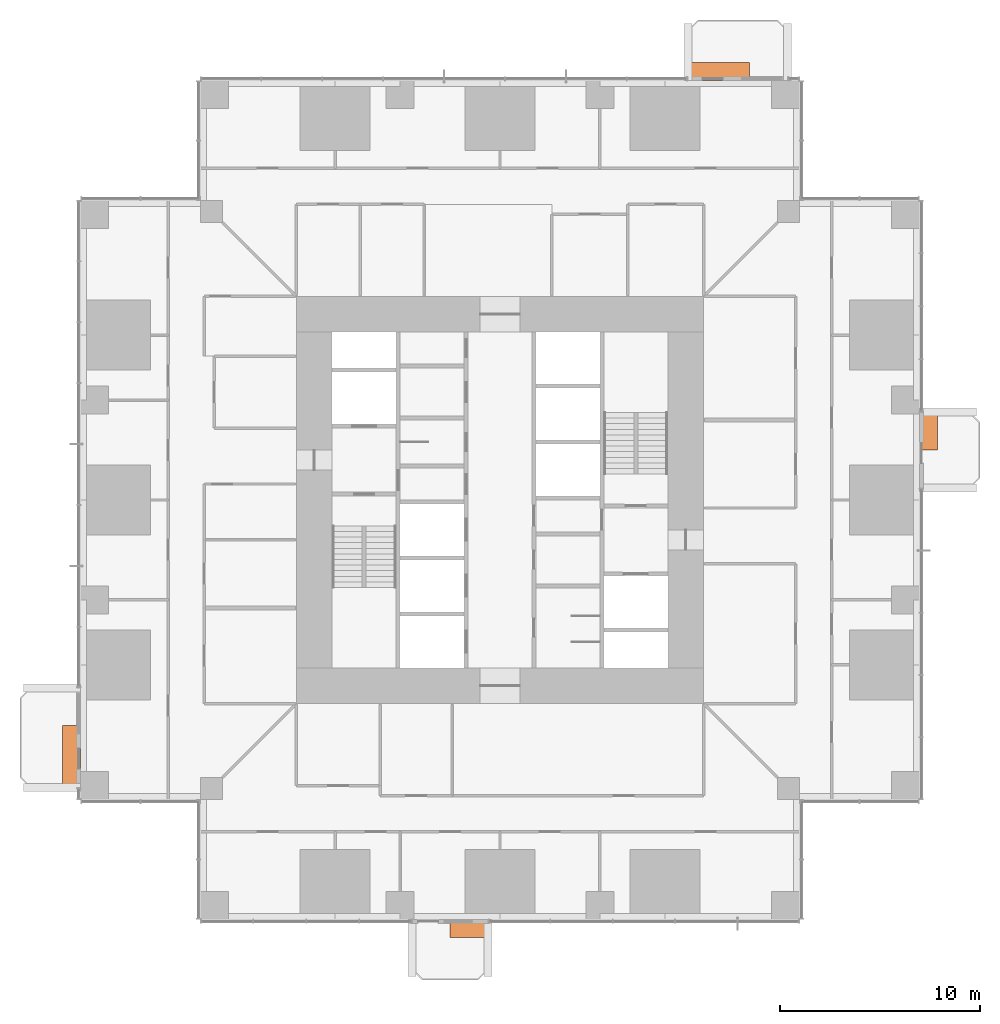
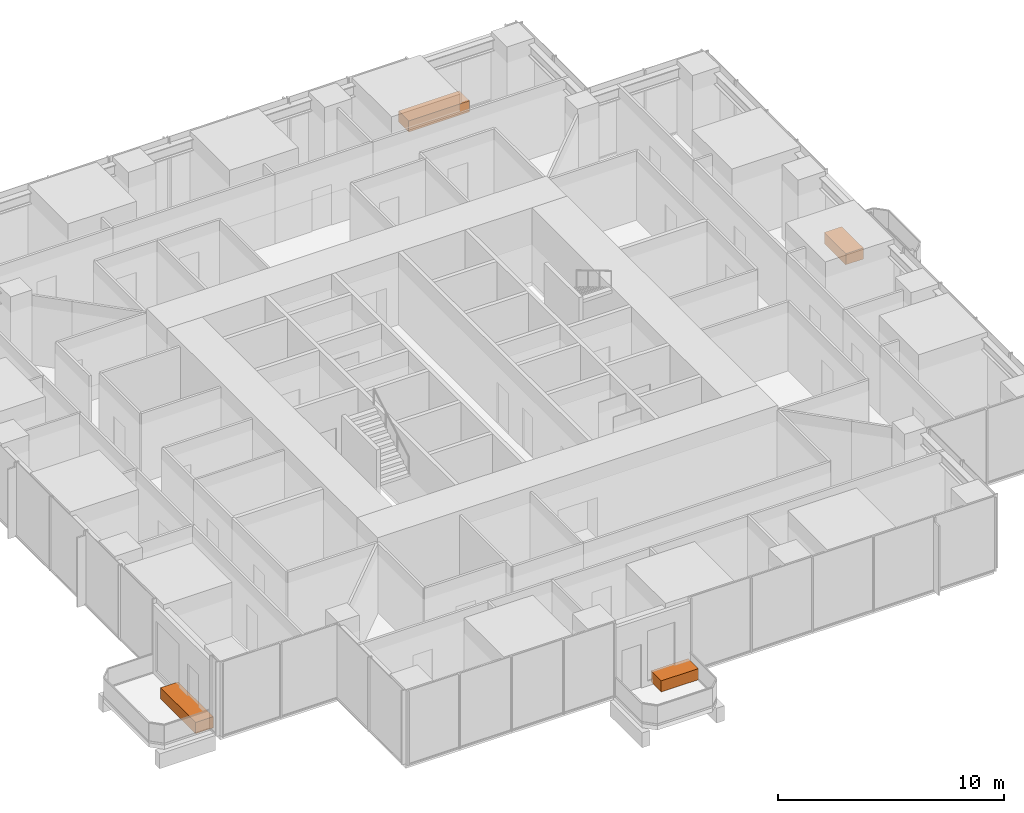
# One storey, part 18 of 18: 4 proxies.
"""IFC4 building model written with IfcOpenShell, lengths in metres."""

from ifc_helpers import new_model, si_unit, direction, frame, origin, origin_2d, place, context, subcontext, project, spatial, rectangle, extrude, element, save


model = new_model("IFC4")

# Units and contexts
model_context = context("Model", 3, precision=1e-05, world=origin(), true_north=direction((0.0, 1.0)))
body_context = subcontext(model_context, "Body", "Model", "MODEL_VIEW")
ifc_project = project(units=[si_unit("LENGTHUNIT", "METRE"), si_unit("AREAUNIT", "SQUARE_METRE"), si_unit("VOLUMEUNIT", "CUBIC_METRE"), si_unit("PLANEANGLEUNIT", "RADIAN"), si_unit("MASSUNIT", "GRAM", prefix="KILO")], contexts=[model_context])

# Site, building, storey
site_placement = place(None, origin())
site = spatial("IfcSite", under=ifc_project, at=site_placement, CompositionType="ELEMENT")
building_placement = place(site_placement, origin())
building = spatial("IfcBuilding", under=site, at=building_placement, Name="Svetlomir Tower", CompositionType="ELEMENT")
storey_placement = place(building_placement, frame((0.0, 0.0, 78.5)))
storey = spatial("IfcBuildingStorey", under=building, at=storey_placement, Name="L18", CompositionType="ELEMENT", Elevation=78.5)

# Proxies
proxy_1_placement = place(storey_placement, frame((19.449951171875, -0.449951171875, 0.0400390625), z_axis=(0.0, 0.0, 1.0), x_axis=(1.0, 0.0, 0.0)))
element("IfcBuildingElementProxy", 1, at=proxy_1_placement, inside=storey, Name="Tree planter S L18", ObjectType="PLANTER", PredefinedType="USERDEFINED", context=body_context, shape_type="SweptSolid", body=[
    extrude(rectangle(XDim=1.89990234375, YDim=0.89990234375, at=origin_2d()), origin(), (0.0, 0.0, 1.0), 0.60009765625),
])
proxy_2_placement = place(storey_placement, frame((42.449951171875, 24.449951171875, 0.0400390625), z_axis=(0.0, 0.0, 1.0), x_axis=(1.0, 0.0, 0.0)))
element("IfcBuildingElementProxy", 2, at=proxy_2_placement, inside=storey, Name="Tree planter E L18", ObjectType="PLANTER", PredefinedType="USERDEFINED", context=body_context, shape_type="SweptSolid", body=[
    extrude(rectangle(XDim=0.89990234375, YDim=1.89990234375, at=origin_2d()), origin(), (0.0, 0.0, 1.0), 0.60009765625),
])
proxy_3_placement = place(storey_placement, frame((31.949951171875, 42.449951171875, 0.0400390625), z_axis=(0.0, 0.0, 1.0), x_axis=(1.0, 0.0, 0.0)))
element("IfcBuildingElementProxy", 3, at=proxy_3_placement, inside=storey, Name="Tree planter N L18", ObjectType="PLANTER", PredefinedType="USERDEFINED", context=body_context, shape_type="SweptSolid", body=[
    extrude(rectangle(XDim=3.10009765625, YDim=0.89990234375, at=origin_2d()), origin(), (0.0, 0.0, 1.0), 0.60009765625),
])
proxy_4_placement = place(storey_placement, frame((-0.449951171875, 8.14990234375, 0.0400390625), z_axis=(0.0, 0.0, 1.0), x_axis=(1.0, 0.0, 0.0)))
element("IfcBuildingElementProxy", 4, at=proxy_4_placement, inside=storey, Name="Tree planter W L18", ObjectType="PLANTER", PredefinedType="USERDEFINED", context=body_context, shape_type="SweptSolid", body=[
    extrude(rectangle(XDim=0.89990234375, YDim=3.10009765625, at=origin_2d()), origin(), (0.0, 0.0, 1.0), 0.60009765625),
])

save(model, "model.ifc")
